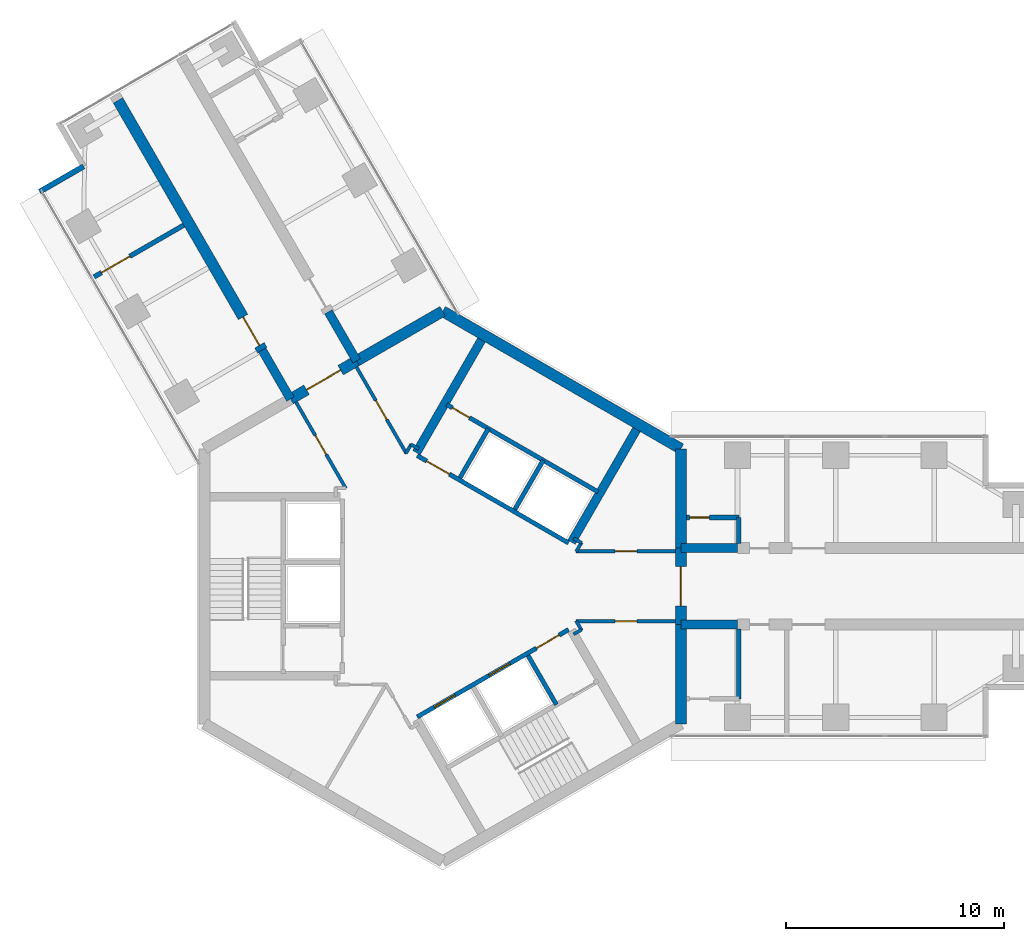
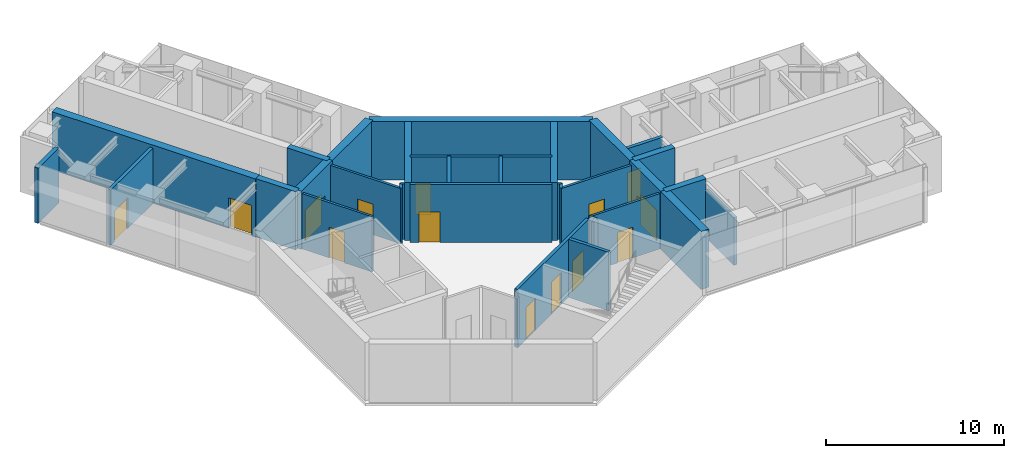
# One storey, part 12 of 17: 34 walls, 14 doors, 14 openings.
"""IFC4 building model written with IfcOpenShell, lengths in metres."""

from ifc_helpers import new_model, si_unit, direction, frame, frame_2d, origin, place, context, subcontext, project, spatial, rectangle, extrude, material, layer, layer_set, type_object, element, fill, save


model = new_model("IFC4")

# Units and contexts
model_context = context("Model", 3, precision=1e-05, world=origin(), true_north=direction((0.0, 1.0)))
body_context = subcontext(model_context, "Body", "Model", "MODEL_VIEW")
ifc_project = project(units=[si_unit("LENGTHUNIT", "METRE"), si_unit("AREAUNIT", "SQUARE_METRE"), si_unit("VOLUMEUNIT", "CUBIC_METRE"), si_unit("PLANEANGLEUNIT", "RADIAN"), si_unit("MASSUNIT", "GRAM", prefix="KILO")], contexts=[model_context])

# Site, building, storey
site_placement = place(None, origin())
site = spatial("IfcSite", under=ifc_project, at=site_placement, CompositionType="ELEMENT")
building_placement = place(site_placement, origin())
building = spatial("IfcBuilding", under=site, at=building_placement, Name="Upepo Twin Towers", CompositionType="ELEMENT")
storey_placement = place(building_placement, frame((0.0, 0.0, 178.5)))
storey = spatial("IfcBuildingStorey", under=building, at=storey_placement, Name="L43", CompositionType="ELEMENT", Elevation=178.5)

# Wall, opening, door
ifc_material_1 = material(Name="Concrete blockwork, plastered both faces", Category="masonry")
ifc_layer_1 = layer(ifc_material_1, 0.215087890625)
ifc_layer_set_1 = layer_set([ifc_layer_1], Name="Blockwork partition 215")
wall_type_1 = type_object("IfcWallType", Name="Blockwork partition 215", PredefinedType="PARTITIONING", material=ifc_layer_set_1)
wall_1_placement = place(storey_placement, frame((11.157958984375, 3.14990234375, 0.0), z_axis=(0.0, 0.0, 1.0), x_axis=(1.0, 0.0, 0.0)))
wall_1 = element("IfcWall", 1, at=wall_1_placement, inside=storey, type_object=wall_type_1, Name="T1 WC bay partition AL at 11.16", PredefinedType="PARTITIONING", context=body_context, shape_type="SweptSolid", body=[
    extrude(rectangle(XDim=2.400146484375, YDim=0.215087890625, at=frame_2d((1.2001953125, 0.0))), origin(), (0.0, 0.0, 1.0), 3.800048828125),
])
opening_1_placement = place(wall_1_placement, frame((0.14990234375, 0.0, 0.0)))
opening_1 = element("IfcOpeningElement", 2, at=opening_1_placement, cuts=wall_1, Name="Opening D14", PredefinedType="OPENING", context=body_context, shape_type="SweptSolid", body=[
    extrude(rectangle(XDim=0.89990234375, YDim=2.10009765625, at=frame_2d((0.449951171875, 1.050048828125))), frame((0.0, 0.117431640625, 0.0), z_axis=(0.0, -1.0, 0.0), x_axis=(1.0, 0.0, 0.0)), (0.0, 0.0, 1.0), 0.235107421875),
])
ifc_material_2 = material(Name="Timber doorset", Category="wood")
door_type_1 = type_object("IfcDoorType", Name="Office door 900 FD30", OperationType="SINGLE_SWING_LEFT", PredefinedType="DOOR", material=ifc_material_2)
door_1_placement = place(opening_1_placement, origin())
door_1 = element("IfcDoor", 3, at=door_1_placement, inside=storey, type_object=door_type_1, Name="T1 L43 WC bay inner room door", OperationType="SINGLE_SWING_LEFT", OverallHeight=2.10009765625, OverallWidth=0.89990234375, PredefinedType="DOOR", context=body_context, shape_type="SweptSolid", body=[
    extrude(rectangle(XDim=0.89990234375, YDim=2.10009765625, at=frame_2d((0.449951171875, 1.050048828125))), frame((0.0, 0.02490234375, 0.0), z_axis=(0.0, -1.0, 0.0), x_axis=(1.0, 0.0, 0.0)), (0.0, 0.0, 1.0), 0.050048828125),
])
fill(opening_1, door_1)

# Walls
wall_2_placement = place(storey_placement, frame((13.55810546875, 1.949951171875, 0.0), z_axis=(0.0, 0.0, 1.0), x_axis=(0.0, 1.0, 0.0)))
element("IfcWall", 4, at=wall_2_placement, inside=storey, type_object=wall_type_1, Name="T1 WC bay partition AL end at 13.56", PredefinedType="PARTITIONING", context=body_context, shape_type="SweptSolid", body=[
    extrude(rectangle(XDim=1.199951171875, YDim=0.215087890625, at=frame_2d((0.60009765625, 0.0))), origin(), (0.0, 0.0, 1.0), 3.266845703125),
])
wall_3_placement = place(storey_placement, frame((13.55810546875, -1.949951171875, 0.0), z_axis=(0.0, 0.0, 1.0), x_axis=(0.0, -1.0, 0.0)))
element("IfcWall", 5, at=wall_3_placement, inside=storey, type_object=wall_type_1, Name="T1 WC bay partition AR end at 13.56", PredefinedType="PARTITIONING", context=body_context, shape_type="SweptSolid", body=[
    extrude(rectangle(XDim=3.199951171875, YDim=0.215087890625, at=frame_2d((1.60009765625, 0.0))), origin(), (0.0, 0.0, 1.0), 3.266845703125),
])

# Wall, opening, door
wall_4_placement = place(storey_placement, frame((-11.85693359375, 16.537109375, 0.0), z_axis=(0.0, 0.0, 1.0), x_axis=(-0.866033238375, -0.499986429846, 0.0)))
wall_4 = element("IfcWall", 6, at=wall_4_placement, inside=storey, type_object=wall_type_1, Name="T1 partition BL at 20.25", PredefinedType="PARTITIONING", context=body_context, shape_type="SweptSolid", body=[
    extrude(rectangle(XDim=4.750244140625, YDim=0.215087890625, at=frame_2d((2.375, 0.0))), origin(), (0.0, 0.0, 1.0), 3.800048828125),
])
opening_2_placement = place(wall_4_placement, frame((2.85009765625, 0.0, 0.0)))
opening_2 = element("IfcOpeningElement", 7, at=opening_2_placement, cuts=wall_4, Name="Opening D13", PredefinedType="OPENING", context=body_context, shape_type="SweptSolid", body=[
    extrude(rectangle(XDim=1.5, YDim=2.10009765625, at=frame_2d((0.75, 1.050048828125))), frame((0.0, 0.117431640625, 0.0), z_axis=(0.0, -1.0, 0.0), x_axis=(1.0, 0.0, 0.0)), (0.0, 0.0, 1.0), 0.235107421875),
])
ifc_material_3 = material(Name="Timber doorset", Category="wood")
door_type_2 = type_object("IfcDoorType", Name="Double door 1500 FD30", OperationType="DOUBLE_DOOR_SINGLE_SWING", PredefinedType="DOOR", material=ifc_material_3)
door_2_placement = place(opening_2_placement, origin())
door_2 = element("IfcDoor", 8, at=door_2_placement, inside=storey, type_object=door_type_2, Name="T1 L43 connecting door", OperationType="DOUBLE_DOOR_SINGLE_SWING", OverallHeight=2.10009765625, OverallWidth=1.5, PredefinedType="DOOR", context=body_context, shape_type="SweptSolid", body=[
    extrude(rectangle(XDim=1.5, YDim=2.10009765625, at=frame_2d((0.75, 1.050048828125))), frame((0.0, 0.02490234375, 0.0), z_axis=(0.0, -1.0, 0.0), x_axis=(1.0, 0.0, 0.0)), (0.0, 0.0, 1.0), 0.050048828125),
])
fill(opening_2, door_2)

# Walls
ifc_material_4 = material(Name="Concrete C60/75", Category="concrete")
ifc_layer_2 = layer(ifc_material_4, 0.39990234375)
ifc_layer_set_2 = layer_set([ifc_layer_2], Name="Concrete C60/75")
wall_type_2 = type_object("IfcWallType", Name="Buttress wall 400 RC", PredefinedType="SHEAR", material=ifc_layer_set_2)
for number, where, z_axis, x_axis, name in (
    (9, (10.908447265625, 1.75, 0.0), (0.0, 0.0, 1.0), (1.0, 0.0, 0.0), "T1 wing A buttress wall L"),
    (10, (10.908447265625, -1.75, 0.0), (0.0, 0.0, 1.0), (1.0, 0.0, 0.0), "T1 wing A buttress wall R"),
):
    element("IfcWall", number, at=place(storey_placement, frame(where, z_axis=z_axis, x_axis=x_axis)), inside=storey, type_object=wall_type_2, Name=name, PredefinedType="SHEAR", context=body_context, shape_type="SweptSolid", body=[
        extrude(rectangle(XDim=2.591552734375, YDim=0.39990234375, at=frame_2d((1.2958984375, 0.0))), origin(), (0.0, 0.0, 1.0), 4.0),
    ])
for number, where, z_axis, x_axis, name in (
    (11, (-6.9697265625, 8.57177734375, 0.0), (0.0, 0.0, 1.0), (-0.499988811324, 0.866031863473, 0.0), "T1 wing B buttress wall L"),
    (12, (-3.938720703125, 10.32177734375, 0.0), (0.0, 0.0, 1.0), (-0.499918158782, 0.866072649678, 0.0), "T1 wing B buttress wall R"),
):
    element("IfcWall", number, at=place(storey_placement, frame(where, z_axis=z_axis, x_axis=x_axis)), inside=storey, type_object=wall_type_2, Name=name, PredefinedType="SHEAR", context=body_context, shape_type="SweptSolid", body=[
        extrude(rectangle(XDim=2.591796875, YDim=0.39990234375, at=frame_2d((1.2958984375, 0.0))), origin(), (0.0, 0.0, 1.0), 4.0),
    ])

# Wall, opening, door
ifc_material_5 = material(Name="Concrete C60/75", Category="concrete")
ifc_layer_3 = layer(ifc_material_5, 0.5)
ifc_layer_set_3 = layer_set([ifc_layer_3], Name="Concrete C60/75")
wall_type_3 = type_object("IfcWallType", Name="Buttress wall 500 RC", PredefinedType="SHEAR", material=ifc_layer_set_3)
wall_5_placement = place(storey_placement, frame((-8.265625, 10.81640625, 0.0), z_axis=(0.0, 0.0, 1.0), x_axis=(-0.499996231654, 0.866027579429, 0.0)))
wall_5 = element("IfcWall", 13, at=wall_5_placement, inside=storey, type_object=wall_type_3, Name="T1 wing B buttress wall L part 2", PredefinedType="SHEAR", context=body_context, shape_type="SweptSolid", body=[
    extrude(rectangle(XDim=13.19970703125, YDim=0.5, at=frame_2d((6.599853515625, 0.0))), origin(), (0.0, 0.0, 1.0), 4.0),
])
opening_3_placement = place(wall_5_placement, frame((0.25, 0.0, 0.0)))
opening_3 = element("IfcOpeningElement", 14, at=opening_3_placement, cuts=wall_5, Name="Opening D13", PredefinedType="OPENING", context=body_context, shape_type="SweptSolid", body=[
    extrude(rectangle(XDim=1.5, YDim=2.10009765625, at=frame_2d((0.75, 1.050048828125))), frame((0.0, 0.260009765625, 0.0), z_axis=(0.0, -1.0, 0.0), x_axis=(1.0, 0.0, 0.0)), (0.0, 0.0, 1.0), 0.52001953125),
])
door_3_placement = place(opening_3_placement, origin())
door_3 = element("IfcDoor", 15, at=door_3_placement, inside=storey, type_object=door_type_2, Name="T1 L43 engineering laboratory door", OperationType="DOUBLE_DOOR_SINGLE_SWING", OverallHeight=2.10009765625, OverallWidth=1.5, PredefinedType="DOOR", context=body_context, shape_type="SweptSolid", body=[
    extrude(rectangle(XDim=1.5, YDim=2.10009765625, at=frame_2d((0.75, 1.050048828125))), frame((0.0, 0.02490234375, 0.0), z_axis=(0.0, -1.0, 0.0), x_axis=(1.0, 0.0, 0.0)), (0.0, 0.0, 1.0), 0.050048828125),
])
fill(opening_3, door_3)

# Wall
ifc_material_6 = material(Name="Concrete C60/75", Category="concrete")
ifc_layer_4 = layer(ifc_material_6, 0.5)
ifc_layer_set_4 = layer_set([ifc_layer_4], Name="Concrete C60/75")
wall_type_4 = type_object("IfcWallType", Name="Core wall 500 RC", PredefinedType="SHEAR", material=ifc_layer_set_4)
wall_6_placement = place(storey_placement, frame((10.908447265625, -6.2978515625, 0.0), z_axis=(0.0, 0.0, 1.0), x_axis=(0.0, 1.0, 0.0)))
element("IfcWall", 16, at=wall_6_placement, inside=storey, type_object=wall_type_4, Name="T1 core wall 000 R", PredefinedType="SHEAR", context=body_context, shape_type="SweptSolid", body=[
    extrude(rectangle(XDim=4.5478515625, YDim=0.5, at=frame_2d((2.27392578125, 0.0))), origin(), (0.0, 0.0, 1.0), 4.0),
])

# Wall, opening, door
wall_7_placement = place(storey_placement, frame((10.908447265625, -1.75, 0.0), z_axis=(0.0, 0.0, 1.0), x_axis=(0.0, 1.0, 0.0)))
wall_7 = element("IfcWall", 17, at=wall_7_placement, inside=storey, type_object=wall_type_4, Name="T1 core wall 000", PredefinedType="SHEAR", context=body_context, shape_type="SweptSolid", body=[
    extrude(rectangle(XDim=3.5, YDim=0.5, at=frame_2d((1.75, 0.0))), origin(), (0.0, 0.0, 1.0), 4.0),
])
opening_4_placement = place(wall_7_placement, frame((0.85009765625, 0.0, 0.0)))
opening_4 = element("IfcOpeningElement", 18, at=opening_4_placement, cuts=wall_7, Name="Opening D2", PredefinedType="OPENING", context=body_context, shape_type="SweptSolid", body=[
    extrude(rectangle(XDim=1.800048828125, YDim=2.10009765625, at=frame_2d((0.89990234375, 1.050048828125))), frame((0.0, 0.260009765625, 0.0), z_axis=(0.0, -1.0, 0.0), x_axis=(1.0, 0.0, 0.0)), (0.0, 0.0, 1.0), 0.52001953125),
])
ifc_material_7 = material(Name="Timber doorset", Category="wood")
door_type_3 = type_object("IfcDoorType", Name="Corridor double door 1800 FD60", OperationType="DOUBLE_DOOR_DOUBLE_SWING", PredefinedType="DOOR", material=ifc_material_7)
door_4_placement = place(opening_4_placement, origin())
door_4 = element("IfcDoor", 19, at=door_4_placement, inside=storey, type_object=door_type_3, Name="T1 L43 wing A corridor door", OperationType="DOUBLE_DOOR_DOUBLE_SWING", OverallHeight=2.10009765625, OverallWidth=1.800048828125, PredefinedType="DOOR", context=body_context, shape_type="SweptSolid", body=[
    extrude(rectangle(XDim=1.800048828125, YDim=2.10009765625, at=frame_2d((0.89990234375, 1.050048828125))), frame((0.0, 0.02490234375, 0.0), z_axis=(0.0, -1.0, 0.0), x_axis=(1.0, 0.0, 0.0)), (0.0, 0.0, 1.0), 0.050048828125),
])
fill(opening_4, door_4)

# Walls
wall_8_placement = place(storey_placement, frame((10.908447265625, 1.75, 0.0), z_axis=(0.0, 0.0, 1.0), x_axis=(0.0, 1.0, 0.0)))
element("IfcWall", 20, at=wall_8_placement, inside=storey, type_object=wall_type_4, Name="T1 core wall 000 L", PredefinedType="SHEAR", context=body_context, shape_type="SweptSolid", body=[
    extrude(rectangle(XDim=4.5478515625, YDim=0.5, at=frame_2d((2.27392578125, 0.0))), origin(), (0.0, 0.0, 1.0), 4.0),
])
wall_9_placement = place(storey_placement, frame((10.908447265625, 6.2978515625, 0.0), z_axis=(0.0, 0.0, 1.0), x_axis=(-0.866021940709, 0.500005998175, 0.0)))
element("IfcWall", 21, at=wall_9_placement, inside=storey, type_object=wall_type_4, Name="T1 core wall 060", PredefinedType="SHEAR", context=body_context, shape_type="SweptSolid", body=[
    extrude(rectangle(XDim=12.595947265625, YDim=0.5, at=frame_2d((6.2978515625, 0.0))), origin(), (0.0, 0.0, 1.0), 4.0),
])
wall_10_placement = place(storey_placement, frame((0.0, 12.595947265625, 0.0), z_axis=(0.0, 0.0, 1.0), x_axis=(-0.866011268655, -0.500024481964, 0.0)))
element("IfcWall", 22, at=wall_10_placement, inside=storey, type_object=wall_type_4, Name="T1 core wall 120 R", PredefinedType="SHEAR", context=body_context, shape_type="SweptSolid", body=[
    extrude(rectangle(XDim=4.548095703125, YDim=0.5, at=frame_2d((2.27392578125, 0.0))), origin(), (0.0, 0.0, 1.0), 4.0),
])

# Wall, opening, door
wall_11_placement = place(storey_placement, frame((-3.938720703125, 10.32177734375, 0.0), z_axis=(0.0, 0.0, 1.0), x_axis=(-0.866019471182, -0.500010275428, 0.0)))
wall_11 = element("IfcWall", 23, at=wall_11_placement, inside=storey, type_object=wall_type_4, Name="T1 core wall 120", PredefinedType="SHEAR", context=body_context, shape_type="SweptSolid", body=[
    extrude(rectangle(XDim=3.5, YDim=0.5, at=frame_2d((1.75, 0.0))), origin(), (0.0, 0.0, 1.0), 4.0),
])
opening_5_placement = place(wall_11_placement, frame((0.85009765625, 0.0, 0.0)))
opening_5 = element("IfcOpeningElement", 24, at=opening_5_placement, cuts=wall_11, Name="Opening D2", PredefinedType="OPENING", context=body_context, shape_type="SweptSolid", body=[
    extrude(rectangle(XDim=1.800048828125, YDim=2.10009765625, at=frame_2d((0.89990234375, 1.050048828125))), frame((0.0, 0.260009765625, 0.0), z_axis=(0.0, -1.0, 0.0), x_axis=(1.0, 0.0, 0.0)), (0.0, 0.0, 1.0), 0.52001953125),
])
door_5_placement = place(opening_5_placement, origin())
door_5 = element("IfcDoor", 25, at=door_5_placement, inside=storey, type_object=door_type_3, Name="T1 L43 wing B corridor door", OperationType="DOUBLE_DOOR_DOUBLE_SWING", OverallHeight=2.10009765625, OverallWidth=1.800048828125, PredefinedType="DOOR", context=body_context, shape_type="SweptSolid", body=[
    extrude(rectangle(XDim=1.800048828125, YDim=2.10009765625, at=frame_2d((0.89990234375, 1.050048828125))), frame((0.0, 0.02490234375, 0.0), z_axis=(0.0, -1.0, 0.0), x_axis=(1.0, 0.0, 0.0)), (0.0, 0.0, 1.0), 0.050048828125),
])
fill(opening_5, door_5)

# Wall
ifc_material_8 = material(Name="Blockwork with anodised aluminium cladding", Category="masonry")
ifc_layer_5 = layer(ifc_material_8, 0.25)
ifc_layer_set_5 = layer_set([ifc_layer_5], Name="Notch cladding wall 250, pale metal")
wall_type_5 = type_object("IfcWallType", Name="Notch cladding wall 250, pale metal", PredefinedType="STANDARD", material=ifc_layer_set_5)
wall_12_placement = place(storey_placement, frame((-18.456298828125, 18.0673828125, 0.0), z_axis=(0.0, 0.0, 1.0), x_axis=(0.865998469481, 0.500046648681, 0.0)))
element("IfcWall", 26, at=wall_12_placement, inside=storey, type_object=wall_type_5, Name="T1 L43 wing B notch wall L1", PredefinedType="STANDARD", context=body_context, shape_type="SweptSolid", body=[
    extrude(rectangle(XDim=2.324951171875, YDim=0.25, at=frame_2d((1.16259765625, 0.0))), origin(), (0.0, 0.0, 1.0), 3.800048828125),
])

# Wall, opening, door
ifc_material_9 = material(Name="Concrete C40/50", Category="concrete")
ifc_layer_6 = layer(ifc_material_9, 0.199951171875)
ifc_layer_set_6 = layer_set([ifc_layer_6], Name="Concrete C40/50")
wall_type_6 = type_object("IfcWallType", Name="Shaft wall 200 RC", PredefinedType="SHEAR", material=ifc_layer_set_6)
wall_13_placement = place(storey_placement, frame((5.76416015625, 1.983642578125, 0.0), z_axis=(0.0, 0.0, 1.0), x_axis=(-0.866026010844, 0.49999894854, 0.0)))
wall_13 = element("IfcWall", 27, at=wall_13_placement, inside=storey, type_object=wall_type_6, Name="T1 core W60 front wall", PredefinedType="SHEAR", context=body_context, shape_type="SweptSolid", body=[
    extrude(rectangle(XDim=8.0, YDim=0.199951171875, at=frame_2d((4.0, 0.0))), origin(), (0.0, 0.0, 1.0), 4.0),
])
opening_6_placement = place(wall_13_placement, frame((6.300048828125, 0.0, 0.0)))
opening_6 = element("IfcOpeningElement", 28, at=opening_6_placement, cuts=wall_13, Name="Opening D4", PredefinedType="OPENING", context=body_context, shape_type="SweptSolid", body=[
    extrude(rectangle(XDim=1.199951171875, YDim=2.10009765625, at=frame_2d((0.60009765625, 1.050048828125))), frame((0.0, 0.10986328125, 0.0), z_axis=(0.0, -1.0, 0.0), x_axis=(1.0, 0.0, 0.0)), (0.0, 0.0, 1.0), 0.219970703125),
])
ifc_material_10 = material(Name="Timber doorset", Category="wood")
door_type_4 = type_object("IfcDoorType", Name="Lobby door 1200 FD60", OperationType="SINGLE_SWING_LEFT", PredefinedType="DOOR", material=ifc_material_10)
door_6_placement = place(opening_6_placement, origin())
door_6 = element("IfcDoor", 29, at=door_6_placement, inside=storey, type_object=door_type_4, Name="T1 L43 W60 lobby door", OperationType="SINGLE_SWING_RIGHT", OverallHeight=2.10009765625, OverallWidth=1.199951171875, PredefinedType="DOOR", context=body_context, shape_type="SweptSolid", body=[
    extrude(rectangle(XDim=1.199951171875, YDim=2.10009765625, at=frame_2d((0.60009765625, 1.050048828125))), frame((0.0, 0.02490234375, 0.0), z_axis=(0.0, -1.0, 0.0), x_axis=(1.0, 0.0, 0.0)), (0.0, 0.0, 1.0), 0.050048828125),
])
fill(opening_6, door_6)

# Walls
for number, where, z_axis, x_axis, name in (
    (30, (3.302734375, 3.520263671875, 0.0), (0.0, 0.0, 1.0), (0.499936506574, 0.866062058628, 0.0), "T1 core W60 shaft divider"),
    (31, (0.791259765625, 4.97021484375, 0.0), (0.0, 0.0, 1.0), (0.499936506574, 0.866062058628, 0.0), "T1 core W60 lobby wall"),
):
    element("IfcWall", number, at=place(storey_placement, frame(where, z_axis=z_axis, x_axis=x_axis)), inside=storey, type_object=wall_type_6, Name=name, PredefinedType="SHEAR", context=body_context, shape_type="SweptSolid", body=[
        extrude(rectangle(XDim=2.599853515625, YDim=0.199951171875, at=frame_2d((1.2998046875, 0.0))), origin(), (0.0, 0.0, 1.0), 4.0),
    ])

# Wall, opening, door
wall_14_placement = place(storey_placement, frame((7.114013671875, 4.322021484375, 0.0), z_axis=(0.0, 0.0, 1.0), x_axis=(-0.866026010844, 0.49999894854, 0.0)))
wall_14 = element("IfcWall", 32, at=wall_14_placement, inside=storey, type_object=wall_type_6, Name="T1 core W60 stair wall", PredefinedType="SHEAR", context=body_context, shape_type="SweptSolid", body=[
    extrude(rectangle(XDim=8.0, YDim=0.199951171875, at=frame_2d((4.0, 0.0))), origin(), (0.0, 0.0, 1.0), 4.0),
])
opening_7_placement = place(wall_14_placement, frame((6.800048828125, 0.0, 0.0)))
opening_7 = element("IfcOpeningElement", 33, at=opening_7_placement, cuts=wall_14, Name="Opening D9", PredefinedType="OPENING", context=body_context, shape_type="SweptSolid", body=[
    extrude(rectangle(XDim=0.89990234375, YDim=2.10009765625, at=frame_2d((0.449951171875, 1.050048828125))), frame((0.0, 0.10986328125, 0.0), z_axis=(0.0, -1.0, 0.0), x_axis=(1.0, 0.0, 0.0)), (0.0, 0.0, 1.0), 0.219970703125),
])
ifc_material_11 = material(Name="Timber doorset", Category="wood")
door_type_5 = type_object("IfcDoorType", Name="Riser door 900 FD60", OperationType="SINGLE_SWING_LEFT", PredefinedType="DOOR", material=ifc_material_11)
door_7_placement = place(opening_7_placement, origin())
door_7 = element("IfcDoor", 34, at=door_7_placement, inside=storey, type_object=door_type_5, Name="T1 L43 riser door", OperationType="SINGLE_SWING_RIGHT", OverallHeight=2.10009765625, OverallWidth=0.89990234375, PredefinedType="DOOR", context=body_context, shape_type="SweptSolid", body=[
    extrude(rectangle(XDim=0.89990234375, YDim=2.10009765625, at=frame_2d((0.449951171875, 1.050048828125))), frame((0.0, 0.02490234375, 0.0), z_axis=(0.0, -1.0, 0.0), x_axis=(1.0, 0.0, 0.0)), (0.0, 0.0, 1.0), 0.050048828125),
])
fill(opening_7, door_7)

# Wall, openings, doors
wall_15_placement = place(storey_placement, frame((-1.1640625, -5.983642578125, 0.0), z_axis=(0.0, 0.0, 1.0), x_axis=(0.866026010844, 0.49999894854, 0.0)))
wall_15 = element("IfcWall", 35, at=wall_15_placement, inside=storey, type_object=wall_type_6, Name="T1 core W300 front wall", PredefinedType="SHEAR", context=body_context, shape_type="SweptSolid", body=[
    extrude(rectangle(XDim=8.0, YDim=0.199951171875, at=frame_2d((4.0, 0.0))), origin(), (0.0, 0.0, 1.0), 4.0),
])
opening_8_placement = place(wall_15_placement, frame((6.300048828125, 0.0, 0.0)))
opening_8 = element("IfcOpeningElement", 36, at=opening_8_placement, cuts=wall_15, Name="Opening D4", PredefinedType="OPENING", context=body_context, shape_type="SweptSolid", body=[
    extrude(rectangle(XDim=1.199951171875, YDim=2.10009765625, at=frame_2d((0.60009765625, 1.050048828125))), frame((0.0, 0.10986328125, 0.0), z_axis=(0.0, -1.0, 0.0), x_axis=(1.0, 0.0, 0.0)), (0.0, 0.0, 1.0), 0.219970703125),
])
opening_9_placement = place(wall_15_placement, frame((0.89990234375, 0.0, 0.0)))
opening_9 = element("IfcOpeningElement", 37, at=opening_9_placement, cuts=wall_15, Name="Opening LD1", PredefinedType="OPENING", context=body_context, shape_type="SweptSolid", body=[
    extrude(rectangle(XDim=1.10009765625, YDim=2.199951171875, at=frame_2d((0.550048828125, 1.10009765625))), frame((0.0, 0.10986328125, 0.0), z_axis=(0.0, -1.0, 0.0), x_axis=(1.0, 0.0, 0.0)), (0.0, 0.0, 1.0), 0.219970703125),
])
opening_10_placement = place(wall_15_placement, frame((3.800048828125, 0.0, 0.0)))
opening_10 = element("IfcOpeningElement", 38, at=opening_10_placement, cuts=wall_15, Name="Opening LD1", PredefinedType="OPENING", context=body_context, shape_type="SweptSolid", body=[
    extrude(rectangle(XDim=1.10009765625, YDim=2.199951171875, at=frame_2d((0.550048828125, 1.10009765625))), frame((0.0, 0.10986328125, 0.0), z_axis=(0.0, -1.0, 0.0), x_axis=(1.0, 0.0, 0.0)), (0.0, 0.0, 1.0), 0.219970703125),
])
ifc_material_12 = material(Name="Steel doorset", Category="steel")
door_type_6 = type_object("IfcDoorType", Name="Lift landing door 1100", OperationType="DOUBLE_DOOR_SLIDING", PredefinedType="DOOR", material=ifc_material_12)
door_8_placement = place(opening_9_placement, origin())
door_8 = element("IfcDoor", 39, at=door_8_placement, inside=storey, type_object=door_type_6, Name="T1 L43 lift UL1 landing door", OperationType="DOUBLE_DOOR_SLIDING", OverallHeight=2.199951171875, OverallWidth=1.10009765625, PredefinedType="DOOR", context=body_context, shape_type="SweptSolid", body=[
    extrude(rectangle(XDim=1.10009765625, YDim=2.199951171875, at=frame_2d((0.550048828125, 1.10009765625))), frame((0.0, 0.02490234375, 0.0), z_axis=(0.0, -1.0, 0.0), x_axis=(1.0, 0.0, 0.0)), (0.0, 0.0, 1.0), 0.050048828125),
])
fill(opening_9, door_8)
door_9_placement = place(opening_10_placement, origin())
door_9 = element("IfcDoor", 40, at=door_9_placement, inside=storey, type_object=door_type_6, Name="T1 L43 lift UL2 landing door", OperationType="DOUBLE_DOOR_SLIDING", OverallHeight=2.199951171875, OverallWidth=1.10009765625, PredefinedType="DOOR", context=body_context, shape_type="SweptSolid", body=[
    extrude(rectangle(XDim=1.10009765625, YDim=2.199951171875, at=frame_2d((0.550048828125, 1.10009765625))), frame((0.0, 0.02490234375, 0.0), z_axis=(0.0, -1.0, 0.0), x_axis=(1.0, 0.0, 0.0)), (0.0, 0.0, 1.0), 0.050048828125),
])
fill(opening_10, door_9)
door_10_placement = place(opening_8_placement, origin())
door_10 = element("IfcDoor", 41, at=door_10_placement, inside=storey, type_object=door_type_4, Name="T1 L43 W300 lobby door", OperationType="SINGLE_SWING_RIGHT", OverallHeight=2.10009765625, OverallWidth=1.199951171875, PredefinedType="DOOR", context=body_context, shape_type="SweptSolid", body=[
    extrude(rectangle(XDim=1.199951171875, YDim=2.10009765625, at=frame_2d((0.60009765625, 1.050048828125))), frame((0.0, 0.02490234375, 0.0), z_axis=(0.0, -1.0, 0.0), x_axis=(1.0, 0.0, 0.0)), (0.0, 0.0, 1.0), 0.050048828125),
])
fill(opening_8, door_10)

# Walls
wall_16_placement = place(storey_placement, frame((3.908935546875, -3.17041015625, 0.0), z_axis=(0.0, 0.0, 1.0), x_axis=(0.49997716683, -0.86603858612, 0.0)))
element("IfcWall", 42, at=wall_16_placement, inside=storey, type_object=wall_type_6, Name="T1 core W300 lobby wall", PredefinedType="SHEAR", context=body_context, shape_type="SweptSolid", body=[
    extrude(rectangle(XDim=2.599609375, YDim=0.199951171875, at=frame_2d((1.2998046875, 0.0))), origin(), (0.0, 0.0, 1.0), 4.0),
])
ifc_material_13 = material(Name="Concrete C40/50", Category="concrete")
ifc_layer_7 = layer(ifc_material_13, 0.39990234375)
ifc_layer_set_7 = layer_set([ifc_layer_7], Name="Concrete C40/50")
wall_type_7 = type_object("IfcWallType", Name="Shaft wall 400 RC", PredefinedType="SHEAR", material=ifc_layer_set_7)
wall_17_placement = place(storey_placement, frame((-1.20068359375, 6.120361328125, 0.0), z_axis=(0.0, 0.0, 1.0), x_axis=(0.500021575205, 0.866012946976, 0.0)))
element("IfcWall", 43, at=wall_17_placement, inside=storey, type_object=wall_type_7, Name="T1 core W60 side wall N", PredefinedType="SHEAR", context=body_context, shape_type="SweptSolid", body=[
    extrude(rectangle(XDim=5.958251953125, YDim=0.39990234375, at=frame_2d((2.97900390625, 0.0))), origin(), (0.0, 0.0, 1.0), 4.0),
])
wall_18_placement = place(storey_placement, frame((5.900634765625, 2.020263671875, 0.0), z_axis=(0.0, 0.0, 1.0), x_axis=(0.500003832394, 0.86602319114, 0.0)))
element("IfcWall", 44, at=wall_18_placement, inside=storey, type_object=wall_type_7, Name="T1 core W60 side wall S", PredefinedType="SHEAR", context=body_context, shape_type="SweptSolid", body=[
    extrude(rectangle(XDim=5.95849609375, YDim=0.39990234375, at=frame_2d((2.979248046875, 0.0))), origin(), (0.0, 0.0, 1.0), 4.0),
])
ifc_material_14 = material(Name="Gypsum board on steel studs", Category="steel")
ifc_layer_8 = layer(ifc_material_14, 0.14990234375)
ifc_layer_set_8 = layer_set([ifc_layer_8], Name="Teaching partition 150 acoustic")
wall_type_8 = type_object("IfcWallType", Name="Teaching partition 150 acoustic", PredefinedType="PARTITIONING", material=ifc_layer_set_8)
wall_19_placement = place(storey_placement, frame((6.364501953125, -1.9833984375, 0.0), z_axis=(0.0, 0.0, 1.0), x_axis=(-0.865892400268, -0.500230298122, 0.0)))
element("IfcWall", 45, at=wall_19_placement, inside=storey, type_object=wall_type_8, Name="T1 core room partition 1", PredefinedType="PARTITIONING", context=body_context, shape_type="SweptSolid", body=[
    extrude(rectangle(XDim=0.429931640625, YDim=0.14990234375, at=frame_2d((0.21484375, 0.0))), origin(), (0.0, 0.0, 1.0), 3.800048828125),
])

# Wall, opening, door
wall_20_placement = place(storey_placement, frame((-4.435546875, 4.482666015625, 0.0), z_axis=(0.0, 0.0, 1.0), x_axis=(-0.500001558674, 0.866024503882, 0.0)))
wall_20 = element("IfcWall", 46, at=wall_20_placement, inside=storey, type_object=wall_type_8, Name="T1 core room partition 8", PredefinedType="PARTITIONING", context=body_context, shape_type="SweptSolid", body=[
    extrude(rectangle(XDim=4.568359375, YDim=0.14990234375, at=frame_2d((2.2841796875, 0.0))), origin(), (0.0, 0.0, 1.0), 3.800048828125),
])
opening_11_placement = place(wall_20_placement, frame((1.794189453125, 0.0, 0.0)))
opening_11 = element("IfcOpeningElement", 47, at=opening_11_placement, cuts=wall_20, Name="Opening D1", PredefinedType="OPENING", context=body_context, shape_type="SweptSolid", body=[
    extrude(rectangle(XDim=1.0, YDim=2.10009765625, at=frame_2d((0.5, 1.050048828125))), frame((0.0, 0.0849609375, 0.0), z_axis=(0.0, -1.0, 0.0), x_axis=(1.0, 0.0, 0.0)), (0.0, 0.0, 1.0), 0.169921875),
])
ifc_material_15 = material(Name="Timber doorset", Category="wood")
door_type_7 = type_object("IfcDoorType", Name="Room door 1000 FD30", OperationType="SINGLE_SWING_LEFT", PredefinedType="DOOR", material=ifc_material_15)
door_11_placement = place(opening_11_placement, origin())
door_11 = element("IfcDoor", 48, at=door_11_placement, inside=storey, type_object=door_type_7, Name="T1 L43 core room door K6", OperationType="SINGLE_SWING_RIGHT", OverallHeight=2.10009765625, OverallWidth=1.0, PredefinedType="DOOR", context=body_context, shape_type="SweptSolid", body=[
    extrude(rectangle(XDim=1.0, YDim=2.10009765625, at=frame_2d((0.5, 1.050048828125))), frame((0.0, 0.02490234375, 0.0), z_axis=(0.0, -1.0, 0.0), x_axis=(1.0, 0.0, 0.0)), (0.0, 0.0, 1.0), 0.050048828125),
])
fill(opening_11, door_11)

wall_21_placement = place(storey_placement, frame((-3.948486328125, 10.0390625, 0.0), z_axis=(0.0, 0.0, 1.0), x_axis=(0.500001558674, -0.866024503882, 0.0)))
wall_21 = element("IfcWall", 49, at=wall_21_placement, inside=storey, type_object=wall_type_8, Name="T1 core room partition 9", PredefinedType="PARTITIONING", context=body_context, shape_type="SweptSolid", body=[
    extrude(rectangle(XDim=4.568359375, YDim=0.14990234375, at=frame_2d((2.2841796875, 0.0))), origin(), (0.0, 0.0, 1.0), 3.800048828125),
])
opening_12_placement = place(wall_21_placement, frame((1.774169921875, 0.0, 0.0)))
opening_12 = element("IfcOpeningElement", 50, at=opening_12_placement, cuts=wall_21, Name="Opening D1", PredefinedType="OPENING", context=body_context, shape_type="SweptSolid", body=[
    extrude(rectangle(XDim=1.0, YDim=2.10009765625, at=frame_2d((0.5, 1.050048828125))), frame((0.0, 0.0849609375, 0.0), z_axis=(0.0, -1.0, 0.0), x_axis=(1.0, 0.0, 0.0)), (0.0, 0.0, 1.0), 0.169921875),
])
door_12_placement = place(opening_12_placement, origin())
door_12 = element("IfcDoor", 51, at=door_12_placement, inside=storey, type_object=door_type_7, Name="T1 L43 core room door K5", OperationType="SINGLE_SWING_LEFT", OverallHeight=2.10009765625, OverallWidth=1.0, PredefinedType="DOOR", context=body_context, shape_type="SweptSolid", body=[
    extrude(rectangle(XDim=1.0, YDim=2.10009765625, at=frame_2d((0.5, 1.050048828125))), frame((0.0, 0.02490234375, 0.0), z_axis=(0.0, -1.0, 0.0), x_axis=(1.0, 0.0, 0.0)), (0.0, 0.0, 1.0), 0.050048828125),
])
fill(opening_12, door_12)

# Walls
wall_22_placement = place(storey_placement, frame((-1.684326171875, 6.082763671875, 0.0), z_axis=(0.0, 0.0, 1.0), x_axis=(0.50033519877, 0.865831790172, 0.0)))
element("IfcWall", 52, at=wall_22_placement, inside=storey, type_object=wall_type_8, Name="T1 core room partition 10", PredefinedType="PARTITIONING", context=body_context, shape_type="SweptSolid", body=[
    extrude(rectangle(XDim=0.494384765625, YDim=0.14990234375, at=frame_2d((0.2470703125, 0.0))), origin(), (0.0, 0.0, 1.0), 3.800048828125),
])
for number, where, z_axis, x_axis, name in (
    (53, (-1.46435546875, 6.50341796875, 0.0), (0.0, 0.0, 1.0), (0.866138304741, -0.499804398801, 0.0), "T1 core room partition 11"),
    (54, (5.9921875, 2.198486328125, 0.0), (0.0, 0.0, 1.0), (0.865892400268, -0.500230298122, 0.0), "T1 core room partition 12"),
):
    element("IfcWall", number, at=place(storey_placement, frame(where, z_axis=z_axis, x_axis=x_axis)), inside=storey, type_object=wall_type_8, Name=name, PredefinedType="PARTITIONING", context=body_context, shape_type="SweptSolid", body=[
        extrude(rectangle(XDim=0.429931640625, YDim=0.14990234375, at=frame_2d((0.21484375, 0.0))), origin(), (0.0, 0.0, 1.0), 3.800048828125),
    ])
wall_23_placement = place(storey_placement, frame((6.357177734375, 2.0107421875, 0.0), z_axis=(0.0, 0.0, 1.0), x_axis=(-0.50033519877, -0.865831790172, 0.0)))
element("IfcWall", 55, at=wall_23_placement, inside=storey, type_object=wall_type_8, Name="T1 core room partition 13", PredefinedType="PARTITIONING", context=body_context, shape_type="SweptSolid", body=[
    extrude(rectangle(XDim=0.494384765625, YDim=0.14990234375, at=frame_2d((0.2470703125, 0.0))), origin(), (0.0, 0.0, 1.0), 3.800048828125),
])

# Wall, opening, door
wall_24_placement = place(storey_placement, frame((6.099853515625, 1.60009765625, 0.0), z_axis=(0.0, 0.0, 1.0), x_axis=(1.0, 0.0, 0.0)))
wall_24 = element("IfcWall", 56, at=wall_24_placement, inside=storey, type_object=wall_type_8, Name="T1 core room partition 14", PredefinedType="PARTITIONING", context=body_context, shape_type="SweptSolid", body=[
    extrude(rectangle(XDim=4.568359375, YDim=0.14990234375, at=frame_2d((2.2841796875, 0.0))), origin(), (0.0, 0.0, 1.0), 3.800048828125),
])
opening_13_placement = place(wall_24_placement, frame((1.79443359375, 0.0, 0.0)))
opening_13 = element("IfcOpeningElement", 57, at=opening_13_placement, cuts=wall_24, Name="Opening D1", PredefinedType="OPENING", context=body_context, shape_type="SweptSolid", body=[
    extrude(rectangle(XDim=1.0, YDim=2.10009765625, at=frame_2d((0.5, 1.050048828125))), frame((0.0, 0.0849609375, 0.0), z_axis=(0.0, -1.0, 0.0), x_axis=(1.0, 0.0, 0.0)), (0.0, 0.0, 1.0), 0.169921875),
])
door_13_placement = place(opening_13_placement, origin())
door_13 = element("IfcDoor", 58, at=door_13_placement, inside=storey, type_object=door_type_7, Name="T1 L43 core room door K4", OperationType="SINGLE_SWING_RIGHT", OverallHeight=2.10009765625, OverallWidth=1.0, PredefinedType="DOOR", context=body_context, shape_type="SweptSolid", body=[
    extrude(rectangle(XDim=1.0, YDim=2.10009765625, at=frame_2d((0.5, 1.050048828125))), frame((0.0, 0.02490234375, 0.0), z_axis=(0.0, -1.0, 0.0), x_axis=(1.0, 0.0, 0.0)), (0.0, 0.0, 1.0), 0.050048828125),
])
fill(opening_13, door_13)

wall_25_placement = place(storey_placement, frame((10.668212890625, -1.60009765625, 0.0), z_axis=(0.0, 0.0, 1.0), x_axis=(-1.0, 0.0, 0.0)))
wall_25 = element("IfcWall", 59, at=wall_25_placement, inside=storey, type_object=wall_type_8, Name="T1 core room partition 15", PredefinedType="PARTITIONING", context=body_context, shape_type="SweptSolid", body=[
    extrude(rectangle(XDim=4.568359375, YDim=0.14990234375, at=frame_2d((2.2841796875, 0.0))), origin(), (0.0, 0.0, 1.0), 3.800048828125),
])
opening_14_placement = place(wall_25_placement, frame((1.774169921875, 0.0, 0.0)))
opening_14 = element("IfcOpeningElement", 60, at=opening_14_placement, cuts=wall_25, Name="Opening D1", PredefinedType="OPENING", context=body_context, shape_type="SweptSolid", body=[
    extrude(rectangle(XDim=1.0, YDim=2.10009765625, at=frame_2d((0.5, 1.050048828125))), frame((0.0, 0.0849609375, 0.0), z_axis=(0.0, -1.0, 0.0), x_axis=(1.0, 0.0, 0.0)), (0.0, 0.0, 1.0), 0.169921875),
])
door_14_placement = place(opening_14_placement, origin())
door_14 = element("IfcDoor", 61, at=door_14_placement, inside=storey, type_object=door_type_7, Name="T1 L43 core room door K3", OperationType="SINGLE_SWING_LEFT", OverallHeight=2.10009765625, OverallWidth=1.0, PredefinedType="DOOR", context=body_context, shape_type="SweptSolid", body=[
    extrude(rectangle(XDim=1.0, YDim=2.10009765625, at=frame_2d((0.5, 1.050048828125))), frame((0.0, 0.02490234375, 0.0), z_axis=(0.0, -1.0, 0.0), x_axis=(1.0, 0.0, 0.0)), (0.0, 0.0, 1.0), 0.050048828125),
])
fill(opening_14, door_14)

# Wall
wall_26_placement = place(storey_placement, frame((6.10986328125, -1.582763671875, 0.0), z_axis=(0.0, 0.0, 1.0), x_axis=(0.50033519877, -0.865831790172, 0.0)))
element("IfcWall", 62, at=wall_26_placement, inside=storey, type_object=wall_type_8, Name="T1 core room partition 16", PredefinedType="PARTITIONING", context=body_context, shape_type="SweptSolid", body=[
    extrude(rectangle(XDim=0.494384765625, YDim=0.14990234375, at=frame_2d((0.2470703125, 0.0))), origin(), (0.0, 0.0, 1.0), 3.800048828125),
])

save(model, "model.ifc")
